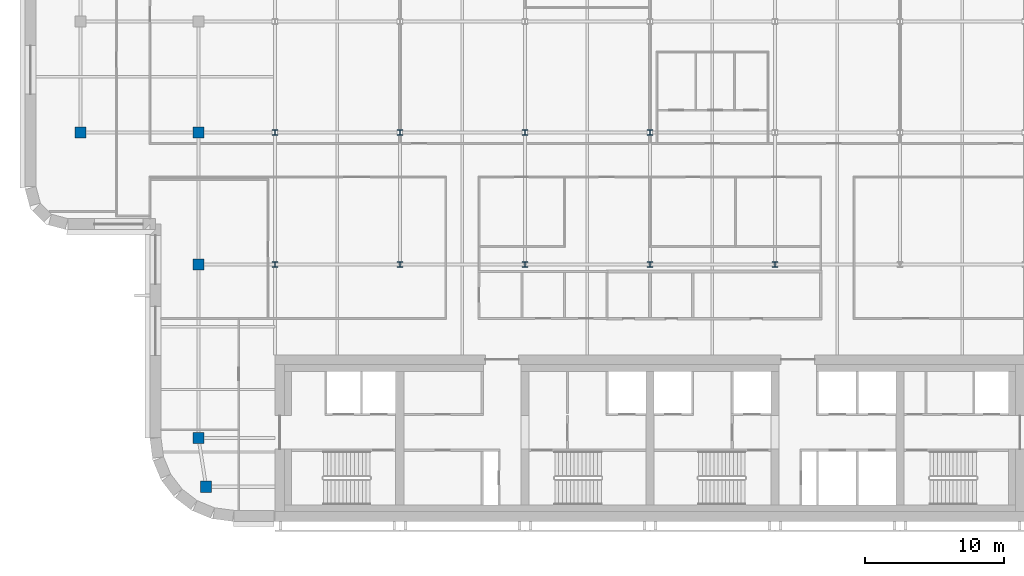
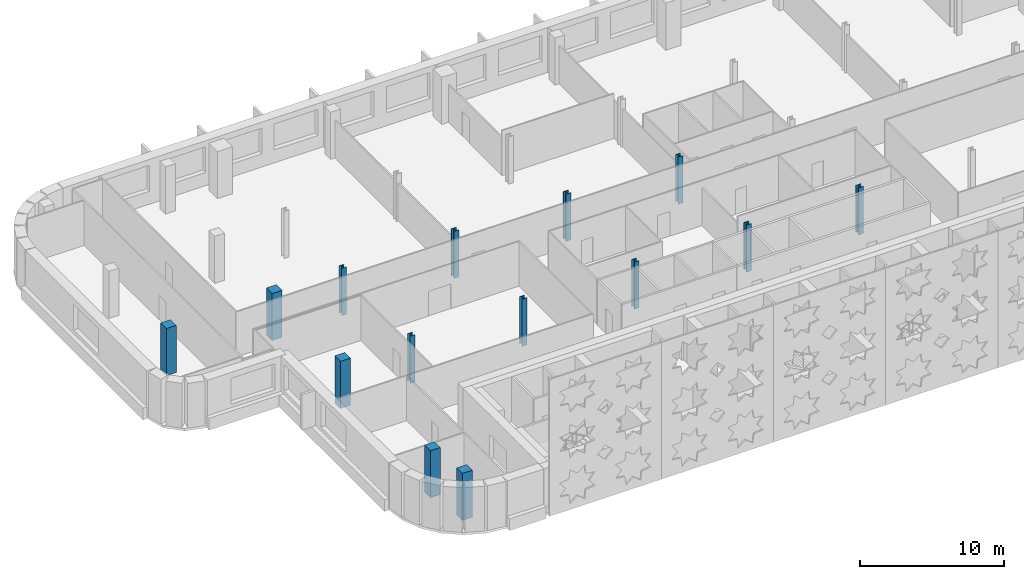
# One storey, part 1 of 17: 14 columns.
"""IFC4 building model written with IfcOpenShell, lengths in metres."""

import ifcopenshell
import ifcopenshell.guid

model = None  # the IFC model being written
_history = None  # IfcOwnerHistory: only IFC2X3 demands one
_inside = {}  # id of a spatial element -> (the spatial element, [elements in it])
_under = {}  # id of a project, library or spatial element -> (it, [spatial elements below it])
_declared = {}  # id of a project -> (the project, [libraries it declares])
_typed = {}  # id of a type object -> (the type object, [elements of that type])
_made_of = {}  # id of a material, layer set ... -> (it, [elements and type objects made of it])


def new_model(schema):
    """Start an empty IFC model of exactly this schema.

    Asked for "IFC4X3", IfcOpenShell would pick the latest addendum, in which some entities
    have other attributes; the version numbers below select the first issue.
    IFC2X3 requires an IfcOwnerHistory on every rooted entity: one is made here for all.
    """
    global model, _history
    if schema == "IFC4X3":
        model = ifcopenshell.file(schema_version=(4, 3, 0, 0))
    else:
        model = ifcopenshell.file(schema=schema)
    _inside.clear()
    _under.clear()
    _declared.clear()
    _typed.clear()
    _made_of.clear()
    _history = None
    if model.schema == "IFC2X3":
        org = make("IfcOrganization", Name="unknown")
        user = make(
            "IfcPersonAndOrganization",
            ThePerson=make("IfcPerson", FamilyName="unknown"),
            TheOrganization=org,
        )
        app = make(
            "IfcApplication",
            ApplicationDeveloper=org,
            Version="unknown",
            ApplicationFullName="unknown",
            ApplicationIdentifier="unknown",
        )
        _history = make(
            "IfcOwnerHistory",
            OwningUser=user,
            OwningApplication=app,
            ChangeAction="ADDED",
            CreationDate=0,
        )
    return model


def make(cls, **values):
    """One entity of the class cls with the attributes given. An attribute that is None is left unset."""
    return model.create_entity(
        cls, **{name: value for name, value in values.items() if value is not None}
    )


def rooted(cls, **values):
    """An entity with a GlobalId (a new one), such as an element, a storey or a relation."""
    return make(cls, GlobalId=ifcopenshell.guid.new(), OwnerHistory=_history, **values)


def si_unit(unit_type, name, prefix=None):
    """IfcSIUnit, for example si_unit("LENGTHUNIT", "METRE", prefix="MILLI")."""
    return make("IfcSIUnit", UnitType=unit_type, Prefix=prefix, Name=name)


def assignment(units):
    """IfcUnitAssignment: the units of a project."""
    return None if units is None else make("IfcUnitAssignment", Units=units)


def point(xyz):
    """IfcCartesianPoint."""
    return None if xyz is None else make("IfcCartesianPoint", Coordinates=xyz)


def direction(xyz):
    """IfcDirection."""
    return None if xyz is None else make("IfcDirection", DirectionRatios=xyz)


def frame(location, z_axis=None, x_axis=None):
    """IfcAxis2Placement3D, a coordinate frame: its origin and axes. An axis left out is left unset."""
    return make(
        "IfcAxis2Placement3D",
        Location=point(location),
        Axis=direction(z_axis),
        RefDirection=direction(x_axis),
    )


def frame_2d(location, x_axis=None):
    """IfcAxis2Placement2D, a coordinate frame in the plane: its origin and x axis."""
    return make(
        "IfcAxis2Placement2D", Location=point(location), RefDirection=direction(x_axis)
    )


def origin():
    """The frame at (0, 0, 0) with its axes left unset."""
    return frame((0.0, 0.0, 0.0))


def origin_2d():
    """The frame at (0, 0) in the plane with its x axis left unset."""
    return frame_2d((0.0, 0.0))


def place(relative_to, where):
    """IfcLocalPlacement: puts the frame where relative to a parent placement (None: the world)."""
    return make(
        "IfcLocalPlacement", PlacementRelTo=relative_to, RelativePlacement=where
    )


def context(
    kind, dimensions, precision=None, world=None, true_north=None, identifier=None
):
    """IfcGeometricRepresentationContext, for example the 3D "Model" context."""
    return make(
        "IfcGeometricRepresentationContext",
        ContextIdentifier=identifier,
        ContextType=kind,
        CoordinateSpaceDimension=dimensions,
        Precision=precision,
        WorldCoordinateSystem=world,
        TrueNorth=true_north,
    )


def subcontext(parent, identifier, kind, view, scale=None):
    """IfcGeometricRepresentationSubContext, for example "Body" below "Model"."""
    return make(
        "IfcGeometricRepresentationSubContext",
        ContextIdentifier=identifier,
        ContextType=kind,
        ParentContext=parent,
        TargetScale=scale,
        TargetView=view,
    )


def project(units=None, contexts=None):
    """IfcProject with its units and contexts."""
    return rooted(
        "IfcProject",
        Name="project",
        RepresentationContexts=contexts,
        UnitsInContext=assignment(units),
    )


def spatial(cls, under=None, at=None, **own):
    """A site, building, storey or space (cls), placed at a placement, below another one or the project."""
    s = rooted(cls, ObjectPlacement=at, **own)
    if under is not None:
        _under.setdefault(under.id(), (under, []))[1].append(s)
    return s


def profile(cls, at=None, kind="AREA", **sizes):
    """A parametric profile (cls). Its sizes go by their IFC names, for example OverallWidth=200.0."""
    return make(cls, ProfileType=kind, Position=at, **sizes)


def rectangle(**sizes):
    """IfcRectangleProfileDef."""
    return profile("IfcRectangleProfileDef", **sizes)


def i_section(**sizes):
    """IfcIShapeProfileDef."""
    return profile("IfcIShapeProfileDef", **sizes)


def extrude(swept, where, along, depth):
    """IfcExtrudedAreaSolid: the profile swept, set in the frame where, extruded along a direction by depth."""
    return make(
        "IfcExtrudedAreaSolid",
        SweptArea=swept,
        Position=where,
        ExtrudedDirection=direction(along),
        Depth=depth,
    )


def shape(context_of_items, identifier, shape_type, items):
    """IfcShapeRepresentation: the items that make up one representation, for example the "Body"."""
    return make(
        "IfcShapeRepresentation",
        ContextOfItems=context_of_items,
        RepresentationIdentifier=identifier,
        RepresentationType=shape_type,
        Items=items,
    )


def material(Name=None, Category=None):
    """IfcMaterial."""
    return make("IfcMaterial", Name=Name, Category=Category)


def material_profile(
    of_material, cross_section, Name=None, Category=None, Priority=None
):
    """IfcMaterialProfile: a cross section and its material."""
    return make(
        "IfcMaterialProfile",
        Name=Name,
        Material=of_material,
        Profile=cross_section,
        Priority=Priority,
        Category=Category,
    )


def profile_set(profiles, Name=None, composite=None):
    """IfcMaterialProfileSet."""
    return make(
        "IfcMaterialProfileSet",
        Name=Name,
        MaterialProfiles=profiles,
        CompositeProfile=composite,
    )


def made_of(thing, what):
    """Note that an element or type object is made of a material, layer set ...; save() writes the relation."""
    if what is not None:
        _made_of.setdefault(what.id(), (what, []))[1].append(thing)
    return thing


def type_object(cls, material=None, **own):
    """A type object (cls), such as IfcWallType, which elements share."""
    return made_of(rooted(cls, **own), material)


def element(
    cls,
    number,
    at=None,
    inside=None,
    cuts=None,
    type_object=None,
    material=None,
    context=None,
    identifier="Body",
    shape_type=None,
    held_by="IfcProductDefinitionShape",
    body=None,
    shapes=None,
    **own,
):
    """One element of the class cls, such as IfcWall. Its Tag is "e" and its number.

    at: its placement. inside: the storey or other place that contains it. cuts: it is an
    opening in that element (IfcRelVoidsElement). A single representation is given by context,
    identifier, shape_type and body (its items); several are given by shapes. held_by: the class
    of the entity that holds the representations. save() writes the other relations.
    """
    e = rooted(cls, Tag="e%d" % number, ObjectPlacement=at, **own)
    if body is not None:
        shapes = [shape(context, identifier, shape_type, body)]
    if shapes is not None:
        e.Representation = make(held_by, Representations=shapes)
    if inside is not None:
        _inside.setdefault(inside.id(), (inside, []))[1].append(e)
    if cuts is not None:
        rooted(
            "IfcRelVoidsElement", RelatingBuildingElement=cuts, RelatedOpeningElement=e
        )
    if type_object is not None:
        _typed.setdefault(type_object.id(), (type_object, []))[1].append(e)
    return made_of(e, material)


def aggregate(whole, parts):
    """IfcRelAggregates: a whole, such as a stair, and the parts it consists of."""
    return rooted("IfcRelAggregates", RelatingObject=whole, RelatedObjects=parts)


def save(model, path):
    """Write the relations noted so far, then the file.

    IfcRelAggregates (storeys below a building ...), IfcRelContainedInSpatialStructure (elements
    in a storey), IfcRelDefinesByType, IfcRelAssociatesMaterial and IfcRelDeclares: one each for
    every whole, place, type object, material and project.
    """
    for whole, parts in _under.values():
        aggregate(whole, parts)
    for where, things in _inside.values():
        rooted(
            "IfcRelContainedInSpatialStructure",
            RelatedElements=things,
            RelatingStructure=where,
        )
    for kind, things in _typed.values():
        rooted("IfcRelDefinesByType", RelatedObjects=things, RelatingType=kind)
    for what, things in _made_of.values():
        rooted("IfcRelAssociatesMaterial", RelatedObjects=things, RelatingMaterial=what)
    for by, libraries in _declared.values():
        rooted("IfcRelDeclares", RelatingContext=by, RelatedDefinitions=libraries)
    model.write(path)


model = new_model("IFC4")

# Units and contexts
model_context = context("Model", 3, precision=1e-05, world=origin(), true_north=direction((0.0, 1.0)))
body_context = subcontext(model_context, "Body", "Model", "MODEL_VIEW")
ifc_project = project(units=[si_unit("LENGTHUNIT", "METRE"), si_unit("AREAUNIT", "SQUARE_METRE"), si_unit("VOLUMEUNIT", "CUBIC_METRE"), si_unit("PLANEANGLEUNIT", "RADIAN"), si_unit("MASSUNIT", "GRAM", prefix="KILO")], contexts=[model_context])

# Site, building, storey
site_placement = place(None, origin())
site = spatial("IfcSite", under=ifc_project, at=site_placement, CompositionType="ELEMENT")
building_placement = place(site_placement, origin())
building = spatial("IfcBuilding", under=site, at=building_placement, Name="Zellij Exchange Tower", CompositionType="ELEMENT")
storey_placement = place(building_placement, frame((0.0, 0.0, 252.5)))
storey = spatial("IfcBuildingStorey", under=building, at=storey_placement, Name="L59", CompositionType="ELEMENT", Elevation=252.5)

# Columns
ifc_material_1 = material(Name="Concrete C50/60", Category="concrete")
ifc_material_profile_1 = material_profile(ifc_material_1, rectangle(XDim=0.800048828125, YDim=0.800048828125, at=origin_2d()), Name="STR-COLUMN RC800x800 C50/60")
ifc_profile_set_1 = profile_set([ifc_material_profile_1], Name="Concrete C50/60")
column_type_1 = type_object("IfcColumnType", Name="STR-COLUMN RC800x800 C50/60", PredefinedType="COLUMN", material=ifc_profile_set_1)
for number, where, z_axis, x_axis, name in (
    (1, (-31.949951171875, -11.5, 0.0), (0.0, 0.0, 1.0), (1.0, 0.0, 0.0), "C15"),
    (2, (-32.5, -8.0, 0.0), (0.0, 0.0, 1.0), (1.0, 0.0, 0.0), "C15"),
    (3, (-32.5, 4.5, 0.0), (0.0, 0.0, 1.0), (1.0, 0.0, 0.0), "C15"),
    (4, (-41.0, 14.0, 0.0), (0.0, 0.0, 1.0), (1.0, 0.0, 0.0), "C15"),
    (5, (-32.5, 14.0, 0.0), (0.0, 0.0, 1.0), (1.0, 0.0, 0.0), "C15"),
):
    element("IfcColumn", number, at=place(storey_placement, frame(where, z_axis=z_axis, x_axis=x_axis)), inside=storey, type_object=column_type_1, Name=name, PredefinedType="COLUMN", context=body_context, shape_type="SweptSolid", body=[
        extrude(rectangle(XDim=0.800048828125, YDim=0.800048828125, at=origin_2d()), origin(), (0.0, 0.0, 1.0), 4.0),
    ])
ifc_material_2 = material(Name="Structural steel ASTM A992 Gr 50", Category="steel")
ifc_material_profile_2 = material_profile(ifc_material_2, i_section(OverallWidth=0.398681640625, OverallDepth=0.385986328125, WebThickness=0.02099609375, FlangeThickness=0.033203125, at=origin_2d()), Name="W14x176")
ifc_profile_set_2 = profile_set([ifc_material_profile_2], Name="Structural steel ASTM A992 Gr 50")
column_type_2 = type_object("IfcColumnType", Name="STR-COLUMN W14x176", PredefinedType="COLUMN", material=ifc_profile_set_2)
for number, where, z_axis, x_axis, name in (
    (6, (-27.0, 4.5, 0.0), (0.0, 0.0, 1.0), (1.0, 0.0, 0.0), "C2"),
    (7, (-18.0, 4.5, 0.0), (0.0, 0.0, 1.0), (1.0, 0.0, 0.0), "C2"),
    (8, (-9.0, 4.5, 0.0), (0.0, 0.0, 1.0), (1.0, 0.0, 0.0), "C2"),
    (9, (0.0, 4.5, 0.0), (0.0, 0.0, 1.0), (1.0, 0.0, 0.0), "C2"),
    (10, (9.0, 4.5, 0.0), (0.0, 0.0, 1.0), (1.0, 0.0, 0.0), "C2"),
    (11, (-27.0, 14.0, 0.0), (0.0, 0.0, 1.0), (1.0, 0.0, 0.0), "C2"),
    (12, (-18.0, 14.0, 0.0), (0.0, 0.0, 1.0), (1.0, 0.0, 0.0), "C2"),
    (13, (-9.0, 14.0, 0.0), (0.0, 0.0, 1.0), (1.0, 0.0, 0.0), "C2"),
    (14, (0.0, 14.0, 0.0), (0.0, 0.0, 1.0), (1.0, 0.0, 0.0), "C2"),
):
    element("IfcColumn", number, at=place(storey_placement, frame(where, z_axis=z_axis, x_axis=x_axis)), inside=storey, type_object=column_type_2, Name=name, PredefinedType="COLUMN", context=body_context, shape_type="SweptSolid", body=[
        extrude(i_section(OverallWidth=0.398681640625, OverallDepth=0.385986328125, WebThickness=0.02099609375, FlangeThickness=0.033203125, at=origin_2d()), origin(), (0.0, 0.0, 1.0), 4.0),
    ])

save(model, "model.ifc")
